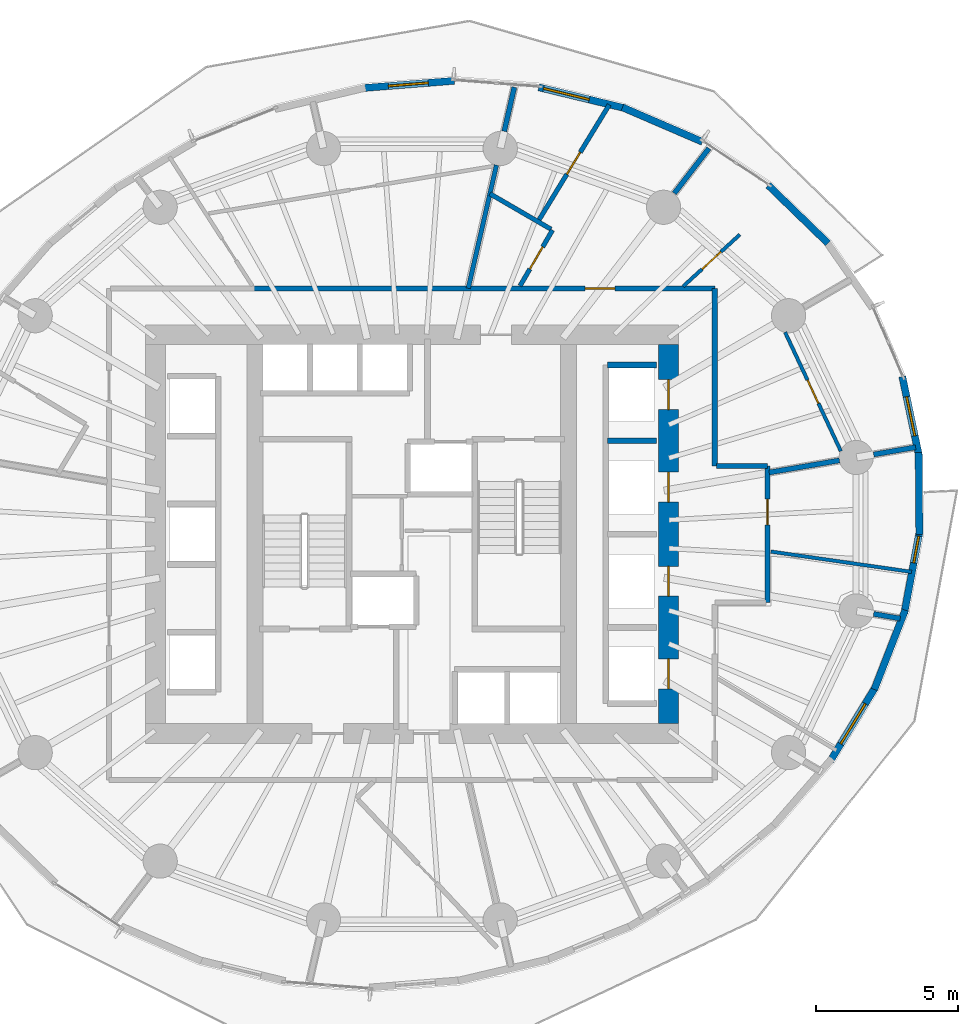
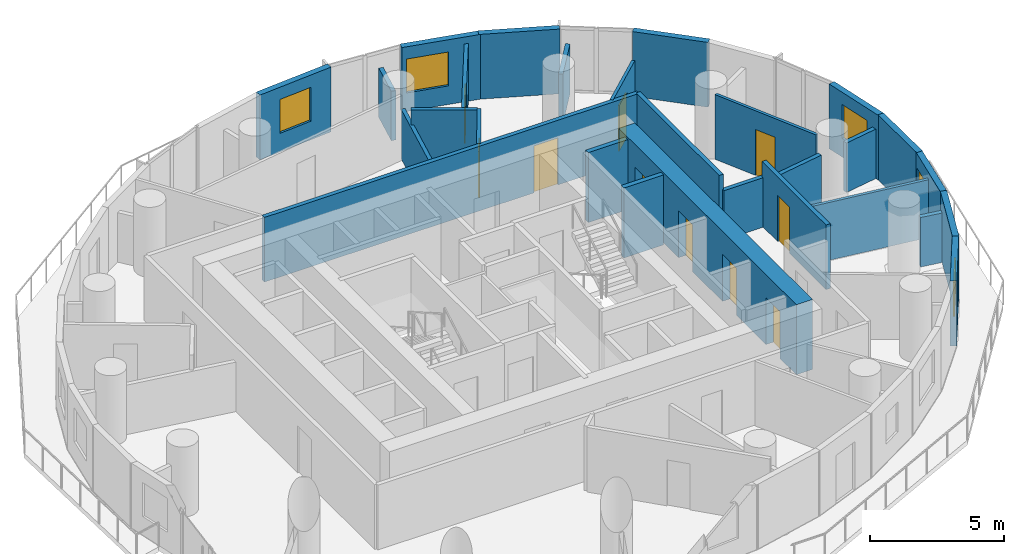
# One storey, part 9 of 14: 28 walls, 10 doors, 5 windows, 15 openings.
"""IFC4 building model written with IfcOpenShell, lengths in metres."""

from ifc_helpers import new_model, si_unit, direction, frame, frame_2d, origin, place, context, subcontext, project, spatial, rectangle, extrude, material, layer, layer_set, type_object, element, fill, save


model = new_model("IFC4")

# Units and contexts
model_context = context("Model", 3, precision=1e-05, world=origin(), true_north=direction((0.0, 1.0)))
body_context = subcontext(model_context, "Body", "Model", "MODEL_VIEW")
ifc_project = project(units=[si_unit("LENGTHUNIT", "METRE"), si_unit("AREAUNIT", "SQUARE_METRE"), si_unit("VOLUMEUNIT", "CUBIC_METRE"), si_unit("PLANEANGLEUNIT", "RADIAN"), si_unit("MASSUNIT", "GRAM", prefix="KILO")], contexts=[model_context])

# Site, building, storey
site_placement = place(None, origin())
site = spatial("IfcSite", under=ifc_project, at=site_placement, CompositionType="ELEMENT")
building_placement = place(site_placement, origin())
building = spatial("IfcBuilding", under=site, at=building_placement, Name="Veldorim Arch Residences", CompositionType="ELEMENT")
storey_placement = place(building_placement, frame((0.0, 0.0, 80.47998046875)))
storey = spatial("IfcBuildingStorey", under=building, at=storey_placement, Name="L23", CompositionType="ELEMENT", Elevation=80.47998046875)

# Wall
ifc_material_1 = material(Name="Acoustic Gypsum Board", Category="gypsum")
ifc_layer_1 = layer(ifc_material_1, 0.125, Name="Acoustic Stud Room Partition Wall 125")
ifc_layer_set_1 = layer_set([ifc_layer_1], Name="Acoustic Gypsum Board")
wall_type_1 = type_object("IfcWallType", Name="Acoustic Stud Room Partition Wall 125", PredefinedType="PARTITIONING", material=ifc_layer_set_1)
wall_1_placement = place(storey_placement, frame((49.53955078125, 22.676513671875, 0.0), z_axis=(0.0, 0.0, 1.0), x_axis=(-0.989708433574, 0.143098625124, 0.0)))
element("IfcWall", 1, at=wall_1_placement, inside=storey, type_object=wall_type_1, Name="L23 interior wall WL-RES-L23-011", PredefinedType="PARTITIONING", context=body_context, shape_type="SweptSolid", body=[
    extrude(rectangle(XDim=4.991943359375, YDim=0.125, at=frame_2d((2.49609375, 0.0))), origin(), (0.0, 0.0, 1.0), 2.641357421875),
])

# Wall, opening, door
wall_2_placement = place(storey_placement, frame((43.510986328125, 34.51611328125, 0.0), z_axis=(0.0, 0.0, 1.0), x_axis=(-0.738303163636, -0.674469004896, 0.0)))
wall_2 = element("IfcWall", 2, at=wall_2_placement, inside=storey, type_object=wall_type_1, Name="L23 interior wall WL-RES-L23-018", PredefinedType="PARTITIONING", context=body_context, shape_type="SweptSolid", body=[
    extrude(rectangle(XDim=2.6962890625, YDim=0.125, at=frame_2d((1.34814453125, 0.0))), origin(), (0.0, 0.0, 1.0), 2.955078125),
])
opening_1_placement = place(wall_2_placement, frame((0.898193359375, 0.0, 0.0)))
opening_1 = element("IfcOpeningElement", 3, at=opening_1_placement, cuts=wall_2, Name="Opening DR-INT", PredefinedType="OPENING", context=body_context, shape_type="SweptSolid", body=[
    extrude(rectangle(XDim=0.89990234375, YDim=2.10009765625, at=frame_2d((0.449951171875, 1.050048828125))), frame((0.0, 0.072509765625, 0.0), z_axis=(0.0, -1.0, 0.0), x_axis=(1.0, 0.0, 0.0)), (0.0, 0.0, 1.0), 0.14501953125),
])
ifc_material_2 = material(Name="Engineered Timber", Category="wood")
door_type_1 = type_object("IfcDoorType", Name="Apartment Internal Room Timber Door 900x2100", OperationType="SINGLE_SWING_LEFT", PredefinedType="DOOR", material=ifc_material_2)
door_1_placement = place(opening_1_placement, origin())
door_1 = element("IfcDoor", 4, at=door_1_placement, inside=storey, type_object=door_type_1, Name="L23 interior door DR-RES-L23-008", OperationType="SINGLE_SWING_RIGHT", OverallHeight=2.10009765625, OverallWidth=0.89990234375, PredefinedType="DOOR", context=body_context, shape_type="SweptSolid", body=[
    extrude(rectangle(XDim=0.89990234375, YDim=2.10009765625, at=frame_2d((0.449951171875, 1.050048828125))), frame((0.0, 0.02490234375, 0.0), z_axis=(0.0, -1.0, 0.0), x_axis=(1.0, 0.0, 0.0)), (0.0, 0.0, 1.0), 0.050048828125),
])
fill(opening_1, door_1)

wall_3_placement = place(storey_placement, frame((45.09814453125, 31.08740234375, 0.0), z_axis=(0.0, 0.0, 1.0), x_axis=(0.424725570062, -0.905322147158, 0.0)))
wall_3 = element("IfcWall", 5, at=wall_3_placement, inside=storey, type_object=wall_type_1, Name="L23 interior wall WL-RES-L23-022", PredefinedType="PARTITIONING", context=body_context, shape_type="SweptSolid", body=[
    extrude(rectangle(XDim=4.610107421875, YDim=0.125, at=frame_2d((2.30517578125, 0.0))), origin(), (0.0, 0.0, 1.0), 2.955078125),
])
opening_2_placement = place(wall_3_placement, frame((1.85498046875, 0.0, 0.0)))
opening_2 = element("IfcOpeningElement", 6, at=opening_2_placement, cuts=wall_3, Name="Opening DR-INT", PredefinedType="OPENING", context=body_context, shape_type="SweptSolid", body=[
    extrude(rectangle(XDim=0.89990234375, YDim=2.10009765625, at=frame_2d((0.449951171875, 1.050048828125))), frame((0.0, 0.072509765625, 0.0), z_axis=(0.0, -1.0, 0.0), x_axis=(1.0, 0.0, 0.0)), (0.0, 0.0, 1.0), 0.14501953125),
])
door_2_placement = place(opening_2_placement, origin())
door_2 = element("IfcDoor", 7, at=door_2_placement, inside=storey, type_object=door_type_1, Name="L23 interior door DR-RES-L23-009", OperationType="SINGLE_SWING_LEFT", OverallHeight=2.10009765625, OverallWidth=0.89990234375, PredefinedType="DOOR", context=body_context, shape_type="SweptSolid", body=[
    extrude(rectangle(XDim=0.89990234375, YDim=2.10009765625, at=frame_2d((0.449951171875, 1.050048828125))), frame((0.0, 0.02490234375, 0.0), z_axis=(0.0, -1.0, 0.0), x_axis=(1.0, 0.0, 0.0)), (0.0, 0.0, 1.0), 0.050048828125),
])
fill(opening_2, door_2)

# Walls
ifc_material_3 = material(Name="Lightweight Masonry Block & Gypsum", Category="masonry")
ifc_layer_2 = layer(ifc_material_3, 0.179931640625, Name="Compartment & Corridor Fire-Rated Party Wall 180")
ifc_layer_set_2 = layer_set([ifc_layer_2], Name="Lightweight Masonry Block & Gypsum")
wall_type_2 = type_object("IfcWallType", Name="Compartment & Corridor Fire-Rated Party Wall 180", PredefinedType="PARTITIONING", material=ifc_layer_set_2)
wall_4_placement = place(storey_placement, frame((48.20556640625, 26.797607421875, 0.0), z_axis=(0.0, 0.0, 1.0), x_axis=(0.985414821555, 0.170169413997, 0.0)))
element("IfcWall", 8, at=wall_4_placement, inside=storey, type_object=wall_type_2, Name="L23 interior wall WL-PIER-L23-01", PredefinedType="PARTITIONING", context=body_context, shape_type="SweptSolid", body=[
    extrude(rectangle(XDim=1.494873046875, YDim=0.179931640625, at=frame_2d((0.74755859375, 0.0))), origin(), (0.0, 0.0, 1.0), 2.260498046875),
])
wall_5_placement = place(storey_placement, frame((41.2119140625, 35.965576171875, 0.0), z_axis=(0.0, 0.0, 1.0), x_axis=(0.609995088008, 0.792405194712, 0.0)))
element("IfcWall", 9, at=wall_5_placement, inside=storey, type_object=wall_type_2, Name="L23 interior wall WL-PIER-L23-03", PredefinedType="PARTITIONING", context=body_context, shape_type="SweptSolid", body=[
    extrude(rectangle(XDim=1.991455078125, YDim=0.179931640625, at=frame_2d((0.99560546875, 0.0))), origin(), (0.0, 0.0, 1.0), 2.260498046875),
])
wall_6_placement = place(storey_placement, frame((35.240478515625, 38.13916015625, 0.0), z_axis=(0.0, 0.0, 1.0), x_axis=(0.223333591652, 0.974742071955, 0.0)))
element("IfcWall", 10, at=wall_6_placement, inside=storey, type_object=wall_type_2, Name="L23 interior wall WL-PIER-L23-04", PredefinedType="PARTITIONING", context=body_context, shape_type="SweptSolid", body=[
    extrude(rectangle(XDim=1.58935546875, YDim=0.179931640625, at=frame_2d((0.794677734375, 0.0))), origin(), (0.0, 0.0, 1.0), 2.260498046875),
])
wall_7_placement = place(storey_placement, frame((48.20556640625, 21.202392578125, 0.0), z_axis=(0.0, 0.0, 1.0), x_axis=(0.985396187556, -0.170277284302, 0.0)))
element("IfcWall", 11, at=wall_7_placement, inside=storey, type_object=wall_type_2, Name="L23 interior wall WL-PIER-L23-16", PredefinedType="PARTITIONING", context=body_context, shape_type="SweptSolid", body=[
    extrude(rectangle(XDim=0.94921875, YDim=0.179931640625, at=frame_2d((0.474609375, 0.0))), origin(), (0.0, 0.0, 1.0), 2.260498046875),
])

# Wall, opening, door
wall_8_placement = place(storey_placement, frame((44.47998046875, 26.39990234375, 0.0), z_axis=(0.0, 0.0, 1.0), x_axis=(0.0, -1.0, 0.0)))
wall_8 = element("IfcWall", 12, at=wall_8_placement, inside=storey, type_object=wall_type_2, Name="L23 interior wall WL-RES-L23-001", PredefinedType="PARTITIONING", context=body_context, shape_type="SweptSolid", body=[
    extrude(rectangle(XDim=4.7998046875, YDim=0.179931640625, at=frame_2d((2.39990234375, 0.0))), origin(), (0.0, 0.0, 1.0), 2.955078125),
])
opening_3_placement = place(wall_8_placement, frame((1.168701171875, 0.0, 0.0)))
opening_3 = element("IfcOpeningElement", 13, at=opening_3_placement, cuts=wall_8, Name="Opening DR-SVC", PredefinedType="OPENING", context=body_context, shape_type="SweptSolid", body=[
    extrude(rectangle(XDim=0.89990234375, YDim=2.10009765625, at=frame_2d((0.449951171875, 1.050048828125))), frame((0.0, 0.099853515625, 0.0), z_axis=(0.0, -1.0, 0.0), x_axis=(1.0, 0.0, 0.0)), (0.0, 0.0, 1.0), 0.199951171875),
])
ifc_material_4 = material(Name="Fire-Rated Steel", Category="steel")
door_type_2 = type_object("IfcDoorType", Name="Riser, Shelter & Plant Room Rated Steel Door 900x2100", OperationType="SINGLE_SWING_LEFT", PredefinedType="DOOR", material=ifc_material_4)
door_3_placement = place(opening_3_placement, origin())
door_3 = element("IfcDoor", 14, at=door_3_placement, inside=storey, type_object=door_type_2, Name="L23 interior door DR-RES-L23-001", OperationType="SINGLE_SWING_LEFT", OverallHeight=2.10009765625, OverallWidth=0.89990234375, PredefinedType="DOOR", context=body_context, shape_type="SweptSolid", body=[
    extrude(rectangle(XDim=0.89990234375, YDim=2.10009765625, at=frame_2d((0.449951171875, 1.050048828125))), frame((0.0, 0.02490234375, 0.0), z_axis=(0.0, -1.0, 0.0), x_axis=(1.0, 0.0, 0.0)), (0.0, 0.0, 1.0), 0.050048828125),
])
fill(opening_3, door_3)

wall_9_placement = place(storey_placement, frame((26.43115234375, 32.6298828125, 0.0), z_axis=(0.0, 0.0, 1.0), x_axis=(1.0, 0.0, 0.0)))
wall_9 = element("IfcWall", 15, at=wall_9_placement, inside=storey, type_object=wall_type_2, Name="L23 interior wall WL-RES-L23-005", PredefinedType="PARTITIONING", context=body_context, shape_type="SweptSolid", body=[
    extrude(rectangle(XDim=16.19873046875, YDim=0.179931640625, at=frame_2d((8.099365234375, 0.0))), origin(), (0.0, 0.0, 1.0), 2.955078125),
])
opening_4_placement = place(wall_9_placement, frame((11.645263671875, 0.0, 0.0)))
opening_4 = element("IfcOpeningElement", 16, at=opening_4_placement, cuts=wall_9, Name="Opening DR-FLT", PredefinedType="OPENING", context=body_context, shape_type="SweptSolid", body=[
    extrude(rectangle(XDim=1.050048828125, YDim=2.14990234375, at=frame_2d((0.52490234375, 1.074951171875))), frame((0.0, 0.099853515625, 0.0), z_axis=(0.0, -1.0, 0.0), x_axis=(1.0, 0.0, 0.0)), (0.0, 0.0, 1.0), 0.199951171875),
])
ifc_material_5 = material(Name="Fire-Rated Timber", Category="wood")
door_type_3 = type_object("IfcDoorType", Name="Apartment Entrance Solid-Core Fire Door 1050x2150", OperationType="SINGLE_SWING_LEFT", PredefinedType="DOOR", material=ifc_material_5)
door_4_placement = place(opening_4_placement, origin())
door_4 = element("IfcDoor", 17, at=door_4_placement, inside=storey, type_object=door_type_3, Name="L23 interior door DR-RES-L23-006", OperationType="SINGLE_SWING_RIGHT", OverallHeight=2.14990234375, OverallWidth=1.050048828125, PredefinedType="DOOR", context=body_context, shape_type="SweptSolid", body=[
    extrude(rectangle(XDim=1.050048828125, YDim=2.14990234375, at=frame_2d((0.52490234375, 1.074951171875))), frame((0.0, 0.02490234375, 0.0), z_axis=(0.0, -1.0, 0.0), x_axis=(1.0, 0.0, 0.0)), (0.0, 0.0, 1.0), 0.050048828125),
])
fill(opening_4, door_4)

# Walls
wall_10_placement = place(storey_placement, frame((42.6298828125, 32.6298828125, 0.0), z_axis=(0.0, 0.0, 1.0), x_axis=(0.0, -1.0, 0.0)))
element("IfcWall", 18, at=wall_10_placement, inside=storey, type_object=wall_type_2, Name="L23 interior wall WL-RES-L23-006", PredefinedType="PARTITIONING", context=body_context, shape_type="SweptSolid", body=[
    extrude(rectangle(XDim=6.22998046875, YDim=0.179931640625, at=frame_2d((3.114990234375, 0.0))), origin(), (0.0, 0.0, 1.0), 2.955078125),
])
wall_11_placement = place(storey_placement, frame((42.68994140625, 26.39990234375, 0.0), z_axis=(0.0, 0.0, 1.0), x_axis=(1.0, 0.0, 0.0)))
element("IfcWall", 19, at=wall_11_placement, inside=storey, type_object=wall_type_2, Name="L23 interior wall WL-RES-L23-007", PredefinedType="PARTITIONING", context=body_context, shape_type="SweptSolid", body=[
    extrude(rectangle(XDim=1.7900390625, YDim=0.179931640625, at=frame_2d((0.89501953125, 0.0))), origin(), (0.0, 0.0, 1.0), 2.260498046875),
])
wall_12_placement = place(storey_placement, frame((44.5390625, 26.164794921875, 0.0), z_axis=(0.0, 0.0, 1.0), x_axis=(0.985420684403, 0.170135460006, 0.0)))
element("IfcWall", 20, at=wall_12_placement, inside=storey, type_object=wall_type_2, Name="L23 interior wall WL-RES-L23-012", PredefinedType="PARTITIONING", context=body_context, shape_type="SweptSolid", body=[
    extrude(rectangle(XDim=2.504150390625, YDim=0.179931640625, at=frame_2d((1.251953125, 0.0))), origin(), (0.0, 0.0, 1.0), 2.260498046875),
])
ifc_material_6 = material(Name="Concrete C50/60", Category="concrete")
ifc_layer_3 = layer(ifc_material_6, 0.199951171875, Name="Core Stair & Lift Shaft Enclosure Wall 200")
ifc_layer_set_3 = layer_set([ifc_layer_3], Name="Concrete C50/60")
wall_type_3 = type_object("IfcWallType", Name="Core Stair & Lift Shaft Enclosure Wall 200", PredefinedType="SHEAR", material=ifc_layer_set_3)
for number, where, z_axis, x_axis, name in (
    (21, (38.8701171875, 29.93994140625, 0.0), (0.0, 0.0, 1.0), (1.0, 0.0, 0.0), "L23 shaft wall WL-B1-L23-N"),
    (22, (38.8701171875, 27.27490234375, 0.0), (0.0, 0.0, 1.0), (1.0, 0.0, 0.0), "L23 shaft wall WL-B1-L23-D3"),
):
    element("IfcWall", number, at=place(storey_placement, frame(where, z_axis=z_axis, x_axis=x_axis)), inside=storey, type_object=wall_type_3, Name=name, PredefinedType="SHEAR", context=body_context, shape_type="SweptSolid", body=[
        extrude(rectangle(XDim=1.7099609375, YDim=0.199951171875, at=frame_2d((0.85498046875, 0.0))), origin(), (0.0, 0.0, 1.0), 3.199951171875),
    ])

# Wall, openings, doors
ifc_material_7 = material(Name="Concrete C60/75", Category="concrete")
ifc_layer_4 = layer(ifc_material_7, 0.699951171875, Name="Mid-Lower Central Core Shear Wall 700")
ifc_layer_set_4 = layer_set([ifc_layer_4], Name="Concrete C60/75")
wall_type_4 = type_object("IfcWallType", Name="Mid-Lower Central Core Shear Wall 700", PredefinedType="SHEAR", material=ifc_layer_set_4)
wall_13_placement = place(storey_placement, frame((41.0, 17.35009765625, 0.0), z_axis=(0.0, 0.0, 1.0), x_axis=(0.0, 1.0, 0.0)))
wall_13 = element("IfcWall", 23, at=wall_13_placement, inside=storey, type_object=wall_type_4, Name="L23 central core east shear wall", PredefinedType="SHEAR", context=body_context, shape_type="SweptSolid", body=[
    extrude(rectangle(XDim=13.2998046875, YDim=0.699951171875, at=frame_2d((6.64990234375, 0.0))), origin(), (0.0, 0.0, 1.0), 3.199951171875),
])
opening_5_placement = place(wall_13_placement, frame((1.22509765625, 0.0, 0.0)))
opening_5 = element("IfcOpeningElement", 24, at=opening_5_placement, cuts=wall_13, Name="Opening LD-PS", PredefinedType="OPENING", context=body_context, shape_type="SweptSolid", body=[
    extrude(rectangle(XDim=1.050048828125, YDim=2.14990234375, at=frame_2d((0.52490234375, 1.074951171875))), frame((0.0, 0.35986328125, 0.0), z_axis=(0.0, -1.0, 0.0), x_axis=(1.0, 0.0, 0.0)), (0.0, 0.0, 1.0), 0.719970703125),
])
opening_6_placement = place(wall_13_placement, frame((4.47509765625, 0.0, 0.0)))
opening_6 = element("IfcOpeningElement", 25, at=opening_6_placement, cuts=wall_13, Name="Opening LD-PS", PredefinedType="OPENING", context=body_context, shape_type="SweptSolid", body=[
    extrude(rectangle(XDim=1.050048828125, YDim=2.14990234375, at=frame_2d((0.52490234375, 1.074951171875))), frame((0.0, 0.35986328125, 0.0), z_axis=(0.0, -1.0, 0.0), x_axis=(1.0, 0.0, 0.0)), (0.0, 0.0, 1.0), 0.719970703125),
])
opening_7_placement = place(wall_13_placement, frame((7.77490234375, 0.0, 0.0)))
opening_7 = element("IfcOpeningElement", 26, at=opening_7_placement, cuts=wall_13, Name="Opening LD-PS", PredefinedType="OPENING", context=body_context, shape_type="SweptSolid", body=[
    extrude(rectangle(XDim=1.050048828125, YDim=2.14990234375, at=frame_2d((0.52490234375, 1.074951171875))), frame((0.0, 0.35986328125, 0.0), z_axis=(0.0, -1.0, 0.0), x_axis=(1.0, 0.0, 0.0)), (0.0, 0.0, 1.0), 0.719970703125),
])
opening_8_placement = place(wall_13_placement, frame((11.02490234375, 0.0, 0.0)))
opening_8 = element("IfcOpeningElement", 27, at=opening_8_placement, cuts=wall_13, Name="Opening LD-PS", PredefinedType="OPENING", context=body_context, shape_type="SweptSolid", body=[
    extrude(rectangle(XDim=1.050048828125, YDim=2.14990234375, at=frame_2d((0.52490234375, 1.074951171875))), frame((0.0, 0.35986328125, 0.0), z_axis=(0.0, -1.0, 0.0), x_axis=(1.0, 0.0, 0.0)), (0.0, 0.0, 1.0), 0.719970703125),
])
ifc_material_8 = material(Name="Stainless Steel", Category="steel")
door_type_4 = type_object("IfcDoorType", Name="Passenger Lift Bi-Parting Sliding Landing Door 1050x2150", OperationType="DOUBLE_DOOR_SLIDING", PredefinedType="DOOR", material=ifc_material_8)
door_5_placement = place(opening_5_placement, origin())
door_5 = element("IfcDoor", 28, at=door_5_placement, inside=storey, type_object=door_type_4, Name="L23 lift landing door LD-L23-PL-01", OperationType="DOUBLE_DOOR_SLIDING", OverallHeight=2.14990234375, OverallWidth=1.050048828125, PredefinedType="DOOR", context=body_context, shape_type="SweptSolid", body=[
    extrude(rectangle(XDim=1.050048828125, YDim=2.14990234375, at=frame_2d((0.52490234375, 1.074951171875))), frame((0.0, 0.02490234375, 0.0), z_axis=(0.0, -1.0, 0.0), x_axis=(1.0, 0.0, 0.0)), (0.0, 0.0, 1.0), 0.050048828125),
])
fill(opening_5, door_5)
door_6_placement = place(opening_6_placement, origin())
door_6 = element("IfcDoor", 29, at=door_6_placement, inside=storey, type_object=door_type_4, Name="L23 lift landing door LD-L23-PL-02", OperationType="DOUBLE_DOOR_SLIDING", OverallHeight=2.14990234375, OverallWidth=1.050048828125, PredefinedType="DOOR", context=body_context, shape_type="SweptSolid", body=[
    extrude(rectangle(XDim=1.050048828125, YDim=2.14990234375, at=frame_2d((0.52490234375, 1.074951171875))), frame((0.0, 0.02490234375, 0.0), z_axis=(0.0, -1.0, 0.0), x_axis=(1.0, 0.0, 0.0)), (0.0, 0.0, 1.0), 0.050048828125),
])
fill(opening_6, door_6)
door_7_placement = place(opening_7_placement, origin())
door_7 = element("IfcDoor", 30, at=door_7_placement, inside=storey, type_object=door_type_4, Name="L23 lift landing door LD-L23-PL-03", OperationType="DOUBLE_DOOR_SLIDING", OverallHeight=2.14990234375, OverallWidth=1.050048828125, PredefinedType="DOOR", context=body_context, shape_type="SweptSolid", body=[
    extrude(rectangle(XDim=1.050048828125, YDim=2.14990234375, at=frame_2d((0.52490234375, 1.074951171875))), frame((0.0, 0.02490234375, 0.0), z_axis=(0.0, -1.0, 0.0), x_axis=(1.0, 0.0, 0.0)), (0.0, 0.0, 1.0), 0.050048828125),
])
fill(opening_7, door_7)
door_8_placement = place(opening_8_placement, origin())
door_8 = element("IfcDoor", 31, at=door_8_placement, inside=storey, type_object=door_type_4, Name="L23 lift landing door LD-L23-PL-04", OperationType="DOUBLE_DOOR_SLIDING", OverallHeight=2.14990234375, OverallWidth=1.050048828125, PredefinedType="DOOR", context=body_context, shape_type="SweptSolid", body=[
    extrude(rectangle(XDim=1.050048828125, YDim=2.14990234375, at=frame_2d((0.52490234375, 1.074951171875))), frame((0.0, 0.02490234375, 0.0), z_axis=(0.0, -1.0, 0.0), x_axis=(1.0, 0.0, 0.0)), (0.0, 0.0, 1.0), 0.050048828125),
])
fill(opening_8, door_8)

# Walls
ifc_material_9 = material(Name="Precast concrete C40/50", Category="concrete")
ifc_layer_5 = layer(ifc_material_9, 0.25, Name="Tower Terracotta Spandrel & Pier Wall 250")
ifc_layer_set_5 = layer_set([ifc_layer_5], Name="Precast concrete C40/50")
wall_type_5 = type_object("IfcWallType", Name="Tower Terracotta Spandrel & Pier Wall 250", PredefinedType="SOLIDWALL", material=ifc_layer_set_5)
wall_14_placement = place(storey_placement, frame((44.50732421875, 36.24658203125, 0.0), z_axis=(0.0, 0.0, 1.0), x_axis=(0.717880157086, -0.696166704219, 0.0)))
element("IfcWall", 32, at=wall_14_placement, inside=storey, type_object=wall_type_5, Name="L23 terracotta facade wall 03", PredefinedType="SOLIDWALL", context=body_context, shape_type="SweptSolid", body=[
    extrude(rectangle(XDim=2.92333984375, YDim=0.25, at=frame_2d((1.461669921875, 0.0))), origin(), (0.0, 0.0, 1.0), 2.9599609375),
])
wall_15_placement = place(storey_placement, frame((39.39013671875, 38.982421875, 0.0), z_axis=(0.0, 0.0, 1.0), x_axis=(0.91829708806, -0.395891977766, 0.0)))
element("IfcWall", 33, at=wall_15_placement, inside=storey, type_object=wall_type_5, Name="L23 terracotta facade wall 05", PredefinedType="SOLIDWALL", context=body_context, shape_type="SweptSolid", body=[
    extrude(rectangle(XDim=3.060546875, YDim=0.25, at=frame_2d((1.5302734375, 0.0))), origin(), (0.0, 0.0, 1.0), 2.9599609375),
])

# Wall, opening, window
wall_16_placement = place(storey_placement, frame((36.452392578125, 39.6865234375, 0.0), z_axis=(0.0, 0.0, 1.0), x_axis=(0.971748850292, -0.236017312833, 0.0)))
wall_16 = element("IfcWall", 34, at=wall_16_placement, inside=storey, type_object=wall_type_5, Name="L23 terracotta facade wall 06", PredefinedType="SOLIDWALL", context=body_context, shape_type="SweptSolid", body=[
    extrude(rectangle(XDim=3.131103515625, YDim=0.25, at=frame_2d((1.5654296875, 0.0))), origin(), (0.0, 0.0, 1.0), 2.9599609375),
])
opening_9_placement = place(wall_16_placement, frame((0.175048828125, 0.0, 0.85009765625)))
opening_9 = element("IfcOpeningElement", 35, at=opening_9_placement, cuts=wall_16, Name="Opening WN-03", PredefinedType="OPENING", context=body_context, shape_type="SweptSolid", body=[
    extrude(rectangle(XDim=1.64990234375, YDim=1.550048828125, at=frame_2d((0.824951171875, 0.77490234375))), frame((0.0, 0.135009765625, 0.0), z_axis=(0.0, -1.0, 0.0), x_axis=(1.0, 0.0, 0.0)), (0.0, 0.0, 1.0), 0.27001953125),
])
ifc_material_10 = material(Name="Laminated Low-E Glass", Category="glass")
window_type_1 = type_object("IfcWindowType", Name="Residential Wide Window 1650x1550", PartitioningType="SINGLE_PANEL", PredefinedType="WINDOW", material=ifc_material_10)
window_1_placement = place(opening_9_placement, origin())
window_1 = element("IfcWindow", 36, at=window_1_placement, inside=storey, type_object=window_type_1, Name="L23 solar-control facade window 06", OverallHeight=1.550048828125, OverallWidth=1.64990234375, PartitioningType="SINGLE_PANEL", PredefinedType="WINDOW", context=body_context, shape_type="SweptSolid", body=[
    extrude(rectangle(XDim=1.64990234375, YDim=1.550048828125, at=frame_2d((0.824951171875, 0.77490234375))), frame((0.0, 0.030029296875, 0.0), z_axis=(0.0, -1.0, 0.0), x_axis=(1.0, 0.0, 0.0)), (0.0, 0.0, 1.0), 0.06005859375),
])
fill(opening_9, window_1)

wall_17_placement = place(storey_placement, frame((30.26171875, 39.65771484375, 0.0), z_axis=(0.0, 0.0, 1.0), x_axis=(0.996851873062, 0.079286462736, 0.0)))
wall_17 = element("IfcWall", 37, at=wall_17_placement, inside=storey, type_object=wall_type_5, Name="L23 terracotta facade wall 08", PredefinedType="SOLIDWALL", context=body_context, shape_type="SweptSolid", body=[
    extrude(rectangle(XDim=3.236328125, YDim=0.25, at=frame_2d((1.6181640625, 0.0))), origin(), (0.0, 0.0, 1.0), 2.9599609375),
])
opening_10_placement = place(wall_17_placement, frame((0.91796875, 0.0, 0.85009765625)))
opening_10 = element("IfcOpeningElement", 38, at=opening_10_placement, cuts=wall_17, Name="Opening WN-02", PredefinedType="OPENING", context=body_context, shape_type="SweptSolid", body=[
    extrude(rectangle(XDim=1.39990234375, YDim=1.550048828125, at=frame_2d((0.699951171875, 0.77490234375))), frame((0.0, 0.135009765625, 0.0), z_axis=(0.0, -1.0, 0.0), x_axis=(1.0, 0.0, 0.0)), (0.0, 0.0, 1.0), 0.27001953125),
])
ifc_material_11 = material(Name="Laminated Low-E Glass", Category="glass")
window_type_2 = type_object("IfcWindowType", Name="Residential Casement Window 1400x1550", PartitioningType="SINGLE_PANEL", PredefinedType="WINDOW", material=ifc_material_11)
window_2_placement = place(opening_10_placement, origin())
window_2 = element("IfcWindow", 39, at=window_2_placement, inside=storey, type_object=window_type_2, Name="L23 solar-control facade window 08", OverallHeight=1.550048828125, OverallWidth=1.39990234375, PartitioningType="SINGLE_PANEL", PredefinedType="WINDOW", context=body_context, shape_type="SweptSolid", body=[
    extrude(rectangle(XDim=1.39990234375, YDim=1.550048828125, at=frame_2d((0.699951171875, 0.77490234375))), frame((0.0, 0.030029296875, 0.0), z_axis=(0.0, -1.0, 0.0), x_axis=(1.0, 0.0, 0.0)), (0.0, 0.0, 1.0), 0.06005859375),
])
fill(opening_10, window_2)

wall_18_placement = place(storey_placement, frame((48.28076171875, 18.64990234375, 0.0), z_axis=(0.0, 0.0, 1.0), x_axis=(-0.520956264952, -0.853583370273, 0.0)))
wall_18 = element("IfcWall", 40, at=wall_18_placement, inside=storey, type_object=wall_type_5, Name="L23 terracotta facade wall 32", PredefinedType="SOLIDWALL", context=body_context, shape_type="SweptSolid", body=[
    extrude(rectangle(XDim=3.060791015625, YDim=0.25, at=frame_2d((1.5302734375, 0.0))), origin(), (0.0, 0.0, 1.0), 2.9599609375),
])
opening_11_placement = place(wall_18_placement, frame((0.705078125, 0.0, 0.85009765625)))
opening_11 = element("IfcOpeningElement", 41, at=opening_11_placement, cuts=wall_18, Name="Opening WN-03", PredefinedType="OPENING", context=body_context, shape_type="SweptSolid", body=[
    extrude(rectangle(XDim=1.64990234375, YDim=1.550048828125, at=frame_2d((0.824951171875, 0.77490234375))), frame((0.0, 0.135009765625, 0.0), z_axis=(0.0, -1.0, 0.0), x_axis=(1.0, 0.0, 0.0)), (0.0, 0.0, 1.0), 0.27001953125),
])
window_3_placement = place(opening_11_placement, origin())
window_3 = element("IfcWindow", 42, at=window_3_placement, inside=storey, type_object=window_type_1, Name="L23 solar-control facade window 32", OverallHeight=1.550048828125, OverallWidth=1.64990234375, PartitioningType="SINGLE_PANEL", PredefinedType="WINDOW", context=body_context, shape_type="SweptSolid", body=[
    extrude(rectangle(XDim=1.64990234375, YDim=1.550048828125, at=frame_2d((0.824951171875, 0.77490234375))), frame((0.0, 0.030029296875, 0.0), z_axis=(0.0, -1.0, 0.0), x_axis=(1.0, 0.0, 0.0)), (0.0, 0.0, 1.0), 0.06005859375),
])
fill(opening_11, window_3)

# Wall
wall_19_placement = place(storey_placement, frame((49.314208984375, 21.3349609375, 0.0), z_axis=(0.0, 0.0, 1.0), x_axis=(-0.362414720493, -0.93201693674, 0.0)))
element("IfcWall", 43, at=wall_19_placement, inside=storey, type_object=wall_type_5, Name="L23 terracotta facade wall 33", PredefinedType="SOLIDWALL", context=body_context, shape_type="SweptSolid", body=[
    extrude(rectangle(XDim=2.98828125, YDim=0.25, at=frame_2d((1.494140625, 0.0))), origin(), (0.0, 0.0, 1.0), 2.9599609375),
])

# Wall, opening, window
wall_20_placement = place(storey_placement, frame((49.8212890625, 24.10009765625, 0.0), z_axis=(0.0, 0.0, 1.0), x_axis=(-0.183975908968, -0.982930752861, 0.0)))
wall_20 = element("IfcWall", 44, at=wall_20_placement, inside=storey, type_object=wall_type_5, Name="L23 terracotta facade wall 34", PredefinedType="SOLIDWALL", context=body_context, shape_type="SweptSolid", body=[
    extrude(rectangle(XDim=2.92333984375, YDim=0.25, at=frame_2d((1.461669921875, 0.0))), origin(), (0.0, 0.0, 1.0), 2.9599609375),
])
opening_12_placement = place(wall_20_placement, frame((0.175048828125, 0.0, 0.85009765625)))
opening_12 = element("IfcOpeningElement", 45, at=opening_12_placement, cuts=wall_20, Name="Opening WN-05", PredefinedType="OPENING", context=body_context, shape_type="SweptSolid", body=[
    extrude(rectangle(XDim=0.949951171875, YDim=1.449951171875, at=frame_2d((0.47509765625, 0.72509765625))), frame((0.0, 0.135009765625, 0.0), z_axis=(0.0, -1.0, 0.0), x_axis=(1.0, 0.0, 0.0)), (0.0, 0.0, 1.0), 0.27001953125),
])
ifc_material_12 = material(Name="Laminated Low-E Glass", Category="glass")
window_type_3 = type_object("IfcWindowType", Name="Residential Compact Casement Window 950x1450", PartitioningType="SINGLE_PANEL", PredefinedType="WINDOW", material=ifc_material_12)
window_4_placement = place(opening_12_placement, origin())
window_4 = element("IfcWindow", 46, at=window_4_placement, inside=storey, type_object=window_type_3, Name="L23 solar-control facade window 34", OverallHeight=1.449951171875, OverallWidth=0.949951171875, PartitioningType="SINGLE_PANEL", PredefinedType="WINDOW", context=body_context, shape_type="SweptSolid", body=[
    extrude(rectangle(XDim=0.949951171875, YDim=1.449951171875, at=frame_2d((0.47509765625, 0.72509765625))), frame((0.0, 0.030029296875, 0.0), z_axis=(0.0, -1.0, 0.0), x_axis=(1.0, 0.0, 0.0)), (0.0, 0.0, 1.0), 0.06005859375),
])
fill(opening_12, window_4)

# Wall
wall_21_placement = place(storey_placement, frame((49.78662109375, 26.860595703125, 0.0), z_axis=(0.0, 0.0, 1.0), x_axis=(0.008580093639, -0.999963190319, 0.0)))
element("IfcWall", 47, at=wall_21_placement, inside=storey, type_object=wall_type_5, Name="L23 terracotta facade wall 35", PredefinedType="SOLIDWALL", context=body_context, shape_type="SweptSolid", body=[
    extrude(rectangle(XDim=2.873779296875, YDim=0.25, at=frame_2d((1.43701171875, 0.0))), origin(), (0.0, 0.0, 1.0), 2.9599609375),
])

# Wall, opening, window
wall_22_placement = place(storey_placement, frame((49.212646484375, 29.533447265625, 0.0), z_axis=(0.0, 0.0, 1.0), x_axis=(0.205949984324, -0.978562519187, 0.0)))
wall_22 = element("IfcWall", 48, at=wall_22_placement, inside=storey, type_object=wall_type_5, Name="L23 terracotta facade wall 36", PredefinedType="SOLIDWALL", context=body_context, shape_type="SweptSolid", body=[
    extrude(rectangle(XDim=2.847412109375, YDim=0.25, at=frame_2d((1.423828125, 0.0))), origin(), (0.0, 0.0, 1.0), 2.9599609375),
])
opening_13_placement = place(wall_22_placement, frame((0.72412109375, 0.0, 0.85009765625)))
opening_13 = element("IfcOpeningElement", 49, at=opening_13_placement, cuts=wall_22, Name="Opening WN-02", PredefinedType="OPENING", context=body_context, shape_type="SweptSolid", body=[
    extrude(rectangle(XDim=1.39990234375, YDim=1.550048828125, at=frame_2d((0.699951171875, 0.77490234375))), frame((0.0, 0.135009765625, 0.0), z_axis=(0.0, -1.0, 0.0), x_axis=(1.0, 0.0, 0.0)), (0.0, 0.0, 1.0), 0.27001953125),
])
window_5_placement = place(opening_13_placement, origin())
window_5 = element("IfcWindow", 50, at=window_5_placement, inside=storey, type_object=window_type_2, Name="L23 solar-control facade window 36", OverallHeight=1.550048828125, OverallWidth=1.39990234375, PartitioningType="SINGLE_PANEL", PredefinedType="WINDOW", context=body_context, shape_type="SweptSolid", body=[
    extrude(rectangle(XDim=1.39990234375, YDim=1.550048828125, at=frame_2d((0.699951171875, 0.77490234375))), frame((0.0, 0.030029296875, 0.0), z_axis=(0.0, -1.0, 0.0), x_axis=(1.0, 0.0, 0.0)), (0.0, 0.0, 1.0), 0.06005859375),
])
fill(opening_13, window_5)

# Wall, opening, door
ifc_material_13 = material(Name="Moisture-Resistant Gypsum & Stud", Category="gypsum")
ifc_layer_6 = layer(ifc_material_13, 0.159912109375, Name="Wet-Area Moisture-Resistant Plumbing Wall 160")
ifc_layer_set_6 = layer_set([ifc_layer_6], Name="Moisture-Resistant Gypsum & Stud")
wall_type_6 = type_object("IfcWallType", Name="Wet-Area Moisture-Resistant Plumbing Wall 160", PredefinedType="PLUMBINGWALL", material=ifc_layer_set_6)
wall_23_placement = place(storey_placement, frame((36.423828125, 34.970947265625, 0.0), z_axis=(0.0, 0.0, 1.0), x_axis=(0.521036660125, 0.853534298553, 0.0)))
wall_23 = element("IfcWall", 51, at=wall_23_placement, inside=storey, type_object=wall_type_6, Name="L23 interior wall WL-RES-L23-017", PredefinedType="PLUMBINGWALL", context=body_context, shape_type="SweptSolid", body=[
    extrude(rectangle(XDim=4.802734375, YDim=0.159912109375, at=frame_2d((2.4013671875, 0.0))), origin(), (0.0, 0.0, 1.0), 2.641357421875),
])
opening_14_placement = place(wall_23_placement, frame((1.951416015625, 0.0, 0.0)))
opening_14 = element("IfcOpeningElement", 52, at=opening_14_placement, cuts=wall_23, Name="Opening DR-WC", PredefinedType="OPENING", context=body_context, shape_type="SweptSolid", body=[
    extrude(rectangle(XDim=0.89990234375, YDim=2.10009765625, at=frame_2d((0.449951171875, 1.050048828125))), frame((0.0, 0.08984375, 0.0), z_axis=(0.0, -1.0, 0.0), x_axis=(1.0, 0.0, 0.0)), (0.0, 0.0, 1.0), 0.179931640625),
])
ifc_material_14 = material(Name="Laminate Timber", Category="wood")
door_type_5 = type_object("IfcDoorType", Name="Bathroom & Accessible WC Moisture-Sealed Door 900x2100", OperationType="SINGLE_SWING_LEFT", PredefinedType="DOOR", material=ifc_material_14)
door_9_placement = place(opening_14_placement, origin())
door_9 = element("IfcDoor", 53, at=door_9_placement, inside=storey, type_object=door_type_5, Name="L23 interior door DR-RES-L23-007", OperationType="SINGLE_SWING_LEFT", OverallHeight=2.10009765625, OverallWidth=0.89990234375, PredefinedType="DOOR", context=body_context, shape_type="SweptSolid", body=[
    extrude(rectangle(XDim=0.89990234375, YDim=2.10009765625, at=frame_2d((0.449951171875, 1.050048828125))), frame((0.0, 0.02490234375, 0.0), z_axis=(0.0, -1.0, 0.0), x_axis=(1.0, 0.0, 0.0)), (0.0, 0.0, 1.0), 0.050048828125),
])
fill(opening_14, door_9)

wall_24_placement = place(storey_placement, frame((35.796875, 32.71630859375, 0.0), z_axis=(0.0, 0.0, 1.0), x_axis=(0.50256985659, 0.864536603763, 0.0)))
wall_24 = element("IfcWall", 54, at=wall_24_placement, inside=storey, type_object=wall_type_6, Name="L23 interior wall WL-RES-L23-019", PredefinedType="PLUMBINGWALL", context=body_context, shape_type="SweptSolid", body=[
    extrude(rectangle(XDim=2.26416015625, YDim=0.159912109375, at=frame_2d((1.132080078125, 0.0))), origin(), (0.0, 0.0, 1.0), 2.955078125),
])
opening_15_placement = place(wall_24_placement, frame((0.68212890625, 0.0, 0.0)))
opening_15 = element("IfcOpeningElement", 55, at=opening_15_placement, cuts=wall_24, Name="Opening DR-INT", PredefinedType="OPENING", context=body_context, shape_type="SweptSolid", body=[
    extrude(rectangle(XDim=0.89990234375, YDim=2.10009765625, at=frame_2d((0.449951171875, 1.050048828125))), frame((0.0, 0.08984375, 0.0), z_axis=(0.0, -1.0, 0.0), x_axis=(1.0, 0.0, 0.0)), (0.0, 0.0, 1.0), 0.179931640625),
])
door_10_placement = place(opening_15_placement, origin())
door_10 = element("IfcDoor", 56, at=door_10_placement, inside=storey, type_object=door_type_1, Name="L23 interior door DR-RES-L23-010", OperationType="SINGLE_SWING_RIGHT", OverallHeight=2.10009765625, OverallWidth=0.89990234375, PredefinedType="DOOR", context=body_context, shape_type="SweptSolid", body=[
    extrude(rectangle(XDim=0.89990234375, YDim=2.10009765625, at=frame_2d((0.449951171875, 1.050048828125))), frame((0.0, 0.02490234375, 0.0), z_axis=(0.0, -1.0, 0.0), x_axis=(1.0, 0.0, 0.0)), (0.0, 0.0, 1.0), 0.050048828125),
])
fill(opening_15, door_10)

# Walls
wall_25_placement = place(storey_placement, frame((36.8828125, 34.7041015625, 0.0), z_axis=(0.0, 0.0, 1.0), x_axis=(-0.864542002386, 0.502560569594, 0.0)))
element("IfcWall", 57, at=wall_25_placement, inside=storey, type_object=wall_type_6, Name="L23 interior wall WL-RES-L23-020", PredefinedType="PLUMBINGWALL", context=body_context, shape_type="SweptSolid", body=[
    extrude(rectangle(XDim=2.47998046875, YDim=0.159912109375, at=frame_2d((1.239990234375, 0.0))), origin(), (0.0, 0.0, 1.0), 2.955078125),
])
wall_26_placement = place(storey_placement, frame((33.977783203125, 32.6298828125, 0.0), z_axis=(0.0, 0.0, 1.0), x_axis=(0.223368533365, 0.974734065426, 0.0)))
element("IfcWall", 58, at=wall_26_placement, inside=storey, type_object=wall_type_6, Name="L23 interior wall WL-RES-L23-021", PredefinedType="PLUMBINGWALL", context=body_context, shape_type="SweptSolid", body=[
    extrude(rectangle(XDim=4.4375, YDim=0.159912109375, at=frame_2d((2.21875, 0.0))), origin(), (0.0, 0.0, 1.0), 2.260498046875),
])

save(model, "model.ifc")
